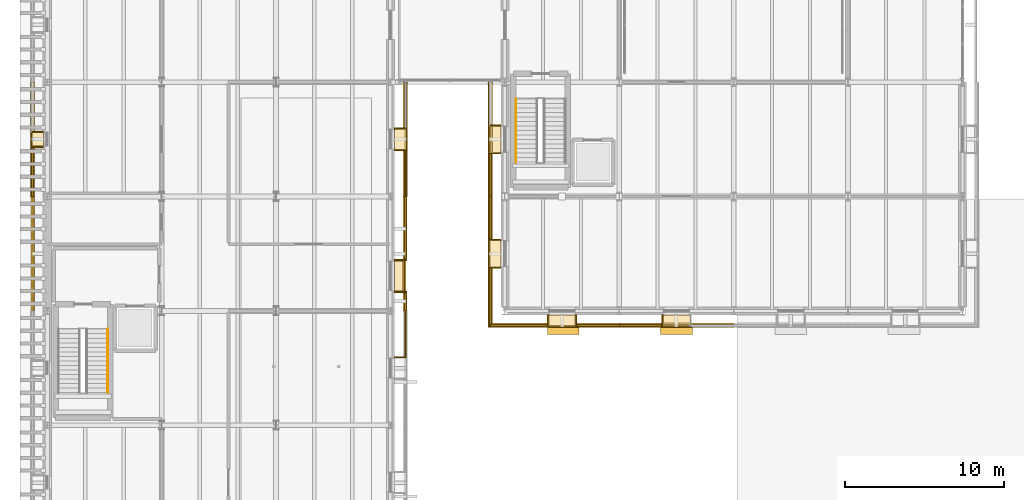
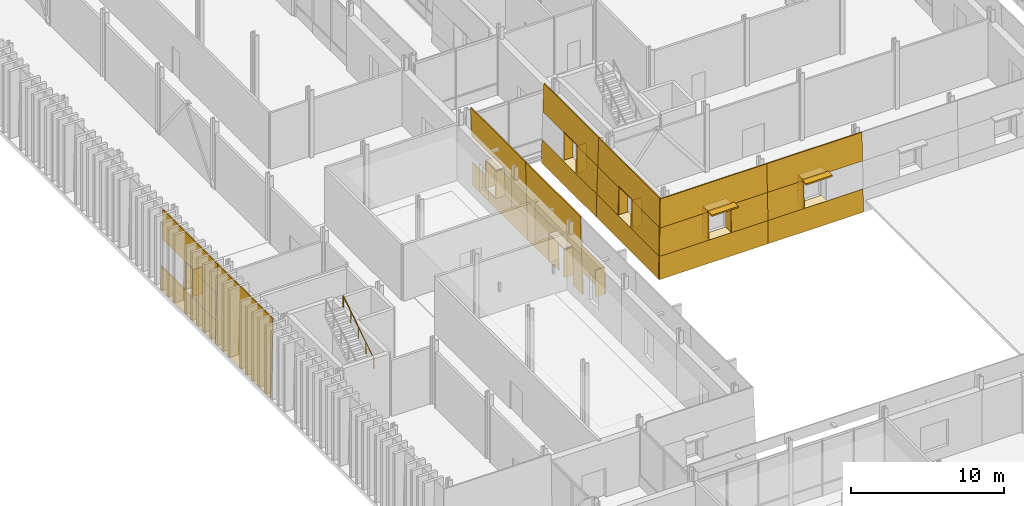
# One storey, part 102 of 120: 52 coverings, 2 railings, 2 shading devices.
"""IFC4 building model written with IfcOpenShell, lengths in metres."""

import ifcopenshell
import ifcopenshell.guid

model = None  # the IFC model being written
_history = None  # IfcOwnerHistory: only IFC2X3 demands one
_inside = {}  # id of a spatial element -> (the spatial element, [elements in it])
_under = {}  # id of a project, library or spatial element -> (it, [spatial elements below it])
_declared = {}  # id of a project -> (the project, [libraries it declares])
_typed = {}  # id of a type object -> (the type object, [elements of that type])
_made_of = {}  # id of a material, layer set ... -> (it, [elements and type objects made of it])


def new_model(schema):
    """Start an empty IFC model of exactly this schema.

    Asked for "IFC4X3", IfcOpenShell would pick the latest addendum, in which some entities
    have other attributes; the version numbers below select the first issue.
    IFC2X3 requires an IfcOwnerHistory on every rooted entity: one is made here for all.
    """
    global model, _history
    if schema == "IFC4X3":
        model = ifcopenshell.file(schema_version=(4, 3, 0, 0))
    else:
        model = ifcopenshell.file(schema=schema)
    _inside.clear()
    _under.clear()
    _declared.clear()
    _typed.clear()
    _made_of.clear()
    _history = None
    if model.schema == "IFC2X3":
        org = make("IfcOrganization", Name="unknown")
        user = make(
            "IfcPersonAndOrganization",
            ThePerson=make("IfcPerson", FamilyName="unknown"),
            TheOrganization=org,
        )
        app = make(
            "IfcApplication",
            ApplicationDeveloper=org,
            Version="unknown",
            ApplicationFullName="unknown",
            ApplicationIdentifier="unknown",
        )
        _history = make(
            "IfcOwnerHistory",
            OwningUser=user,
            OwningApplication=app,
            ChangeAction="ADDED",
            CreationDate=0,
        )
    return model


def make(cls, **values):
    """One entity of the class cls with the attributes given. An attribute that is None is left unset."""
    return model.create_entity(
        cls, **{name: value for name, value in values.items() if value is not None}
    )


def rooted(cls, **values):
    """An entity with a GlobalId (a new one), such as an element, a storey or a relation."""
    return make(cls, GlobalId=ifcopenshell.guid.new(), OwnerHistory=_history, **values)


def si_unit(unit_type, name, prefix=None):
    """IfcSIUnit, for example si_unit("LENGTHUNIT", "METRE", prefix="MILLI")."""
    return make("IfcSIUnit", UnitType=unit_type, Prefix=prefix, Name=name)


def assignment(units):
    """IfcUnitAssignment: the units of a project."""
    return None if units is None else make("IfcUnitAssignment", Units=units)


def point(xyz):
    """IfcCartesianPoint."""
    return None if xyz is None else make("IfcCartesianPoint", Coordinates=xyz)


def direction(xyz):
    """IfcDirection."""
    return None if xyz is None else make("IfcDirection", DirectionRatios=xyz)


def frame(location, z_axis=None, x_axis=None):
    """IfcAxis2Placement3D, a coordinate frame: its origin and axes. An axis left out is left unset."""
    return make(
        "IfcAxis2Placement3D",
        Location=point(location),
        Axis=direction(z_axis),
        RefDirection=direction(x_axis),
    )


def frame_2d(location, x_axis=None):
    """IfcAxis2Placement2D, a coordinate frame in the plane: its origin and x axis."""
    return make(
        "IfcAxis2Placement2D", Location=point(location), RefDirection=direction(x_axis)
    )


def origin():
    """The frame at (0, 0, 0) with its axes left unset."""
    return frame((0.0, 0.0, 0.0))


def origin_2d():
    """The frame at (0, 0) in the plane with its x axis left unset."""
    return frame_2d((0.0, 0.0))


def place(relative_to, where):
    """IfcLocalPlacement: puts the frame where relative to a parent placement (None: the world)."""
    return make(
        "IfcLocalPlacement", PlacementRelTo=relative_to, RelativePlacement=where
    )


def context(
    kind, dimensions, precision=None, world=None, true_north=None, identifier=None
):
    """IfcGeometricRepresentationContext, for example the 3D "Model" context."""
    return make(
        "IfcGeometricRepresentationContext",
        ContextIdentifier=identifier,
        ContextType=kind,
        CoordinateSpaceDimension=dimensions,
        Precision=precision,
        WorldCoordinateSystem=world,
        TrueNorth=true_north,
    )


def subcontext(parent, identifier, kind, view, scale=None):
    """IfcGeometricRepresentationSubContext, for example "Body" below "Model"."""
    return make(
        "IfcGeometricRepresentationSubContext",
        ContextIdentifier=identifier,
        ContextType=kind,
        ParentContext=parent,
        TargetScale=scale,
        TargetView=view,
    )


def project(units=None, contexts=None):
    """IfcProject with its units and contexts."""
    return rooted(
        "IfcProject",
        Name="project",
        RepresentationContexts=contexts,
        UnitsInContext=assignment(units),
    )


def spatial(cls, under=None, at=None, **own):
    """A site, building, storey or space (cls), placed at a placement, below another one or the project."""
    s = rooted(cls, ObjectPlacement=at, **own)
    if under is not None:
        _under.setdefault(under.id(), (under, []))[1].append(s)
    return s


def polyline(points):
    """IfcPolyline through the points."""
    return make("IfcPolyline", Points=[point(p) for p in points])


def profile(cls, at=None, kind="AREA", **sizes):
    """A parametric profile (cls). Its sizes go by their IFC names, for example OverallWidth=200.0."""
    return make(cls, ProfileType=kind, Position=at, **sizes)


def rectangle(**sizes):
    """IfcRectangleProfileDef."""
    return profile("IfcRectangleProfileDef", **sizes)


def circle(**sizes):
    """IfcCircleProfileDef."""
    return profile("IfcCircleProfileDef", **sizes)


def outline(outer, holes=None, kind="AREA"):
    """IfcArbitraryClosedProfileDef: a profile drawn as a closed curve; with holes, ...WithVoids."""
    if holes is None:
        return make("IfcArbitraryClosedProfileDef", ProfileType=kind, OuterCurve=outer)
    return make(
        "IfcArbitraryProfileDefWithVoids",
        ProfileType=kind,
        OuterCurve=outer,
        InnerCurves=holes,
    )


def extrude(swept, where, along, depth):
    """IfcExtrudedAreaSolid: the profile swept, set in the frame where, extruded along a direction by depth."""
    return make(
        "IfcExtrudedAreaSolid",
        SweptArea=swept,
        Position=where,
        ExtrudedDirection=direction(along),
        Depth=depth,
    )


def shape(context_of_items, identifier, shape_type, items):
    """IfcShapeRepresentation: the items that make up one representation, for example the "Body"."""
    return make(
        "IfcShapeRepresentation",
        ContextOfItems=context_of_items,
        RepresentationIdentifier=identifier,
        RepresentationType=shape_type,
        Items=items,
    )


def material(Name=None, Category=None):
    """IfcMaterial."""
    return make("IfcMaterial", Name=Name, Category=Category)


def layer(
    of_material, thickness, ventilated=None, Name=None, Category=None, Priority=None
):
    """IfcMaterialLayer: one layer of a wall or slab, of a material (None: an air gap)."""
    return make(
        "IfcMaterialLayer",
        Material=of_material,
        LayerThickness=thickness,
        IsVentilated=ventilated,
        Name=Name,
        Category=Category,
        Priority=Priority,
    )


def layer_set(layers, Name=None):
    """IfcMaterialLayerSet."""
    return make("IfcMaterialLayerSet", MaterialLayers=layers, LayerSetName=Name)


def made_of(thing, what):
    """Note that an element or type object is made of a material, layer set ...; save() writes the relation."""
    if what is not None:
        _made_of.setdefault(what.id(), (what, []))[1].append(thing)
    return thing


def type_object(cls, material=None, **own):
    """A type object (cls), such as IfcWallType, which elements share."""
    return made_of(rooted(cls, **own), material)


def element(
    cls,
    number,
    at=None,
    inside=None,
    cuts=None,
    type_object=None,
    material=None,
    context=None,
    identifier="Body",
    shape_type=None,
    held_by="IfcProductDefinitionShape",
    body=None,
    shapes=None,
    **own,
):
    """One element of the class cls, such as IfcWall. Its Tag is "e" and its number.

    at: its placement. inside: the storey or other place that contains it. cuts: it is an
    opening in that element (IfcRelVoidsElement). A single representation is given by context,
    identifier, shape_type and body (its items); several are given by shapes. held_by: the class
    of the entity that holds the representations. save() writes the other relations.
    """
    e = rooted(cls, Tag="e%d" % number, ObjectPlacement=at, **own)
    if body is not None:
        shapes = [shape(context, identifier, shape_type, body)]
    if shapes is not None:
        e.Representation = make(held_by, Representations=shapes)
    if inside is not None:
        _inside.setdefault(inside.id(), (inside, []))[1].append(e)
    if cuts is not None:
        rooted(
            "IfcRelVoidsElement", RelatingBuildingElement=cuts, RelatedOpeningElement=e
        )
    if type_object is not None:
        _typed.setdefault(type_object.id(), (type_object, []))[1].append(e)
    return made_of(e, material)


def aggregate(whole, parts):
    """IfcRelAggregates: a whole, such as a stair, and the parts it consists of."""
    return rooted("IfcRelAggregates", RelatingObject=whole, RelatedObjects=parts)


def save(model, path):
    """Write the relations noted so far, then the file.

    IfcRelAggregates (storeys below a building ...), IfcRelContainedInSpatialStructure (elements
    in a storey), IfcRelDefinesByType, IfcRelAssociatesMaterial and IfcRelDeclares: one each for
    every whole, place, type object, material and project.
    """
    for whole, parts in _under.values():
        aggregate(whole, parts)
    for where, things in _inside.values():
        rooted(
            "IfcRelContainedInSpatialStructure",
            RelatedElements=things,
            RelatingStructure=where,
        )
    for kind, things in _typed.values():
        rooted("IfcRelDefinesByType", RelatedObjects=things, RelatingType=kind)
    for what, things in _made_of.values():
        rooted("IfcRelAssociatesMaterial", RelatedObjects=things, RelatingMaterial=what)
    for by, libraries in _declared.values():
        rooted("IfcRelDeclares", RelatingContext=by, RelatedDefinitions=libraries)
    model.write(path)


model = new_model("IFC4")

# Units and contexts
model_context = context("Model", 3, precision=1e-05, world=origin(), true_north=direction((0.0, 1.0)))
body_context = subcontext(model_context, "Body", "Model", "MODEL_VIEW")
ifc_project = project(units=[si_unit("LENGTHUNIT", "METRE"), si_unit("AREAUNIT", "SQUARE_METRE"), si_unit("VOLUMEUNIT", "CUBIC_METRE"), si_unit("PLANEANGLEUNIT", "RADIAN"), si_unit("MASSUNIT", "GRAM", prefix="KILO")], contexts=[model_context])

# Site, building, storey
site_placement = place(None, origin())
site = spatial("IfcSite", under=ifc_project, at=site_placement, CompositionType="ELEMENT")
building_placement = place(site_placement, origin())
building = spatial("IfcBuilding", under=site, at=building_placement, Name="Narikvali Park Central Library", CompositionType="ELEMENT")
storey_placement = place(building_placement, origin())
storey = spatial("IfcBuildingStorey", under=building, at=storey_placement, Name="L00", CompositionType="ELEMENT", Elevation=0.0)

# Coverings
ifc_material_1 = material(Name="White Honed Limestone Cladding", Category="masonry")
ifc_layer_1 = layer(ifc_material_1, 0.0849609375, Name="White Honed Limestone Cladding")
ifc_layer_set_1 = layer_set([ifc_layer_1], Name="White Honed Limestone Cladding")
covering_type_1 = type_object("IfcCoveringType", Name="Battered White Limestone Facade Cladding Panel", PredefinedType="CLADDING", material=ifc_layer_set_1)
covering_1_placement = place(storey_placement, frame((27.760009765625, 49.360107421875, -0.8798828125), z_axis=(0.0, -0.999847289173, 0.017475649751), x_axis=(1.0, 0.0, 0.0)))
element("IfcCovering", 1, at=covering_1_placement, inside=storey, type_object=covering_type_1, Name="V4 L00 S Battered Limestone Spandrel B01", PredefinedType="CLADDING", context=body_context, shape_type="SweptSolid", body=[
    extrude(outline(polyline([(0.0, 0.0), (8.239990234375, 0.0), (8.239990234375, 1.8301134625161029), (0.031982421875, 1.8301134625161029), (0.0, 0.0)])), origin(), (0.0, 0.0, -1.0), 0.0849609375),
])
covering_2_placement = place(storey_placement, frame((27.8662109375, 49.466064453125, 3.14990234375), z_axis=(0.0, -0.999431101062, 0.033726461852), x_axis=(1.0, 0.0, 0.0)))
element("IfcCovering", 2, at=covering_2_placement, inside=storey, type_object=covering_type_1, Name="V4 L00 S Battered Limestone Lintel B01", PredefinedType="CLADDING", context=body_context, shape_type="SweptSolid", body=[
    extrude(outline(polyline([(0.0, 0.0), (8.1337890625, 0.0), (8.1337890625, 2.2512807512274695), (0.07568359375, 2.2512807512274695), (0.0, 0.0)])), origin(), (0.0, 0.0, -1.0), 0.0849609375),
])
covering_3_placement = place(storey_placement, frame((27.7919921875, 49.39208984375, 0.949951171875), z_axis=(0.0, -0.999435139525, 0.033606574995), x_axis=(1.0, 0.0, 0.0)))
element("IfcCovering", 3, at=covering_3_placement, inside=storey, type_object=covering_type_1, Name="V4 L00 S Battered Limestone Jamb Pier L B01", PredefinedType="CLADDING", context=body_context, shape_type="SweptSolid", body=[
    extrude(outline(polyline([(0.0, 0.0), (3.76806640625, 0.0), (3.76806640625, 2.201194539668488), (0.07421875, 2.201194539668488), (0.0, 0.0)])), origin(), (0.0, 0.0, -1.0), 0.0849609375),
])
covering_4_placement = place(storey_placement, frame((33.239990234375, 49.39208984375, 0.949951171875), z_axis=(0.0, -0.999435139525, 0.033606574995), x_axis=(1.0, 0.0, 0.0)))
element("IfcCovering", 4, at=covering_4_placement, inside=storey, type_object=covering_type_1, Name="V4 L00 S Battered Limestone Jamb Pier R B01", PredefinedType="CLADDING", context=body_context, shape_type="SweptSolid", body=[
    extrude(outline(polyline([(0.0, 0.0), (2.760009765625, 0.0), (2.760009765625, 2.201194539668489), (0.0, 2.201194539668489), (0.0, 0.0)])), origin(), (0.0, 0.0, -1.0), 0.0849609375),
])
covering_5_placement = place(storey_placement, frame((36.0, 49.360107421875, -0.8798828125), z_axis=(0.0, -0.999847289173, 0.017475649751), x_axis=(1.0, 0.0, 0.0)))
element("IfcCovering", 5, at=covering_5_placement, inside=storey, type_object=covering_type_1, Name="V4 L00 S Battered Limestone Spandrel B02", PredefinedType="CLADDING", context=body_context, shape_type="SweptSolid", body=[
    extrude(outline(polyline([(0.0, 0.0), (7.199951171875, 0.0), (7.199951171875, 1.8301134625161029), (0.0, 1.8301134625161029), (0.0, 0.0)])), origin(), (0.0, 0.0, -1.0), 0.0849609375),
])
covering_6_placement = place(storey_placement, frame((36.0, 49.466064453125, 3.14990234375), z_axis=(0.0, -0.999431101062, 0.033726461852), x_axis=(1.0, 0.0, 0.0)))
element("IfcCovering", 6, at=covering_6_placement, inside=storey, type_object=covering_type_1, Name="V4 L00 S Battered Limestone Lintel B02", PredefinedType="CLADDING", context=body_context, shape_type="SweptSolid", body=[
    extrude(outline(polyline([(0.0, 0.0), (7.199951171875, 0.0), (7.199951171875, 2.2512807512274695), (0.0, 2.2512807512274695), (0.0, 0.0)])), origin(), (0.0, 0.0, -1.0), 0.0849609375),
])
covering_7_placement = place(storey_placement, frame((36.0, 49.39208984375, 0.949951171875), z_axis=(0.0, -0.999435139525, 0.033606574995), x_axis=(1.0, 0.0, 0.0)))
element("IfcCovering", 7, at=covering_7_placement, inside=storey, type_object=covering_type_1, Name="V4 L00 S Battered Limestone Jamb Pier L B02", PredefinedType="CLADDING", context=body_context, shape_type="SweptSolid", body=[
    extrude(outline(polyline([(0.0, 0.0), (2.760009765625, 0.0), (2.760009765625, 2.201194539668489), (0.0, 2.201194539668489), (0.0, 0.0)])), origin(), (0.0, 0.0, -1.0), 0.0849609375),
])
covering_8_placement = place(storey_placement, frame((27.760009765625, 64.800048828125, -0.8798828125), z_axis=(-0.999847289173, 0.0, 0.017475649751), x_axis=(0.0, -1.0, 0.0)))
element("IfcCovering", 8, at=covering_8_placement, inside=storey, type_object=covering_type_1, Name="V4 L00 W Battered Limestone Spandrel B08", PredefinedType="CLADDING", context=body_context, shape_type="SweptSolid", body=[
    extrude(outline(polyline([(0.0, 0.0), (7.199951171875, 0.0), (7.199951171875, 1.8301134625161029), (0.0, 1.8301134625161029), (0.0, 0.0)])), origin(), (0.0, 0.0, -1.0), 0.0849609375),
])
covering_9_placement = place(storey_placement, frame((27.8662109375, 64.800048828125, 3.14990234375), z_axis=(-0.999434750598, 0.0, 0.033618139397), x_axis=(0.0, -1.0, 0.0)))
element("IfcCovering", 9, at=covering_9_placement, inside=storey, type_object=covering_type_1, Name="V4 L00 W Battered Limestone Lintel B08", PredefinedType="CLADDING", context=body_context, shape_type="SweptSolid", body=[
    extrude(outline(polyline([(0.0, 0.0), (7.199951171875, 0.0), (7.199951171875, 2.251272530450926), (0.0, 2.251272530450926), (0.0, 0.0)])), origin(), (0.0, 0.0, -1.0), 0.0849609375),
])
covering_10_placement = place(storey_placement, frame((27.7919921875, 60.360107421875, 0.949951171875), z_axis=(-0.999431408105, 0.0, 0.033717361898), x_axis=(0.0, -1.0, 0.0)))
element("IfcCovering", 10, at=covering_10_placement, inside=storey, type_object=covering_type_1, Name="V4 L00 W Battered Limestone Jamb Pier R B08", PredefinedType="CLADDING", context=body_context, shape_type="SweptSolid", body=[
    extrude(outline(polyline([(0.0, 0.0), (2.760009765625, 0.0), (2.760009765625, 2.2012027579225295), (0.0, 2.2012027579225295), (0.0, 0.0)])), origin(), (0.0, 0.0, -1.0), 0.0849609375),
])
covering_11_placement = place(storey_placement, frame((27.760009765625, 57.60009765625, -0.8798828125), z_axis=(-0.999847289173, 0.0, 0.017475649751), x_axis=(0.0, -1.0, 0.0)))
element("IfcCovering", 11, at=covering_11_placement, inside=storey, type_object=covering_type_1, Name="V4 L00 W Battered Limestone Spandrel B09", PredefinedType="CLADDING", context=body_context, shape_type="SweptSolid", body=[
    extrude(outline(polyline([(0.0, 0.0), (8.155029296875, 0.0), (8.123046875, 1.8301134625161026), (0.0, 1.8301134625161026), (0.0, 0.0)])), origin(), (0.0, 0.0, -1.0), 0.0849609375),
])
covering_12_placement = place(storey_placement, frame((27.8662109375, 57.60009765625, 3.14990234375), z_axis=(-0.999434750598, 0.0, 0.033618139397), x_axis=(0.0, -1.0, 0.0)))
element("IfcCovering", 12, at=covering_12_placement, inside=storey, type_object=covering_type_1, Name="V4 L00 W Battered Limestone Lintel B09", PredefinedType="CLADDING", context=body_context, shape_type="SweptSolid", body=[
    extrude(outline(polyline([(0.0, 0.0), (8.049072265625, 0.0), (7.97314453125, 2.251272530450926), (0.0, 2.251272530450926), (0.0, 0.0)])), origin(), (0.0, 0.0, -1.0), 0.0849609375),
])
covering_13_placement = place(storey_placement, frame((27.7919921875, 57.60009765625, 0.949951171875), z_axis=(-0.999431408105, 0.0, 0.033717361898), x_axis=(0.0, -1.0, 0.0)))
element("IfcCovering", 13, at=covering_13_placement, inside=storey, type_object=covering_type_1, Name="V4 L00 W Battered Limestone Jamb Pier L B09", PredefinedType="CLADDING", context=body_context, shape_type="SweptSolid", body=[
    extrude(outline(polyline([(0.0, 0.0), (2.760009765625, 0.0), (2.760009765625, 2.2012027579225295), (0.0, 2.2012027579225295), (0.0, 0.0)])), origin(), (0.0, 0.0, -1.0), 0.0849609375),
])
covering_14_placement = place(storey_placement, frame((27.7919921875, 53.159912109375, 0.949951171875), z_axis=(-0.999431408105, 0.0, 0.033717361898), x_axis=(0.0, -1.0, 0.0)))
element("IfcCovering", 14, at=covering_14_placement, inside=storey, type_object=covering_type_1, Name="V4 L00 W Battered Limestone Jamb Pier R B09", PredefinedType="CLADDING", context=body_context, shape_type="SweptSolid", body=[
    extrude(outline(polyline([(0.0, 0.0), (3.682861328125, 0.0), (3.60888671875, 2.201202757922529), (0.0, 2.201202757922529), (0.0, 0.0)])), origin(), (0.0, 0.0, -1.0), 0.0849609375),
])
covering_15_placement = place(storey_placement, frame((22.613037109375, 47.43994140625, 0.949951171875), z_axis=(0.99959734633, 0.0, 0.028375080797), x_axis=(0.0, 1.0, 0.0)))
element("IfcCovering", 15, at=covering_15_placement, inside=storey, type_object=covering_type_1, Name="V5 L00 E Battered Limestone Jamb Pier R B03", PredefinedType="CLADDING", context=body_context, shape_type="SweptSolid", body=[
    extrude(outline(polyline([(0.0, 0.0), (2.9599609375, 0.0), (2.9599609375, 2.1510125974918495), (0.0, 2.1510125974918495), (0.0, 0.0)])), origin(), (0.0, 0.0, -1.0), 0.0849609375),
])
covering_16_placement = place(storey_placement, frame((22.639892578125, 50.39990234375, -0.8798828125), z_axis=(0.999793086822, 0.0, 0.020341670129), x_axis=(0.0, 1.0, 0.0)))
element("IfcCovering", 16, at=covering_16_placement, inside=storey, type_object=covering_type_1, Name="V5 L00 E Battered Portal Pier L B04", PredefinedType="CLADDING", context=body_context, shape_type="SweptSolid", body=[
    extrude(outline(polyline([(0.0, 0.0), (1.239990234375, 0.0), (1.239990234375, 3.1205187233221197), (0.0, 3.1205187233221197), (0.0, 0.0)])), origin(), (0.0, 0.0, -1.0), 0.0849609375),
])
covering_17_placement = place(storey_placement, frame((22.639892578125, 53.56005859375, -0.8798828125), z_axis=(0.999793086822, 0.0, 0.020341670129), x_axis=(0.0, 1.0, 0.0)))
element("IfcCovering", 17, at=covering_17_placement, inside=storey, type_object=covering_type_1, Name="V5 L00 E Battered Portal Pier R B04", PredefinedType="CLADDING", context=body_context, shape_type="SweptSolid", body=[
    extrude(outline(polyline([(0.0, 0.0), (4.0400390625, 0.0), (4.0400390625, 3.1205187233221197), (0.0, 3.1205187233221197), (0.0, 0.0)])), origin(), (0.0, 0.0, -1.0), 0.0849609375),
])
covering_18_placement = place(storey_placement, frame((22.576416015625, 50.39990234375, 2.239990234375), z_axis=(0.999598236532, 0.0, 0.028343703377), x_axis=(0.0, 1.0, 0.0)))
element("IfcCovering", 18, at=covering_18_placement, inside=storey, type_object=covering_type_1, Name="V5 L00 E Battered Portal Header B04", PredefinedType="CLADDING", context=body_context, shape_type="SweptSolid", body=[
    extrude(outline(polyline([(0.0, 0.0), (7.2001953125, 0.0), (7.2001953125, 3.1611821568797516), (0.0, 3.1611821568797516), (0.0, 0.0)])), origin(), (0.0, 0.0, -1.0), 0.0849609375),
])
covering_19_placement = place(storey_placement, frame((22.639892578125, 57.60009765625, -0.8798828125), z_axis=(0.999892318289, 0.0, 0.014674870582), x_axis=(0.0, 1.0, 0.0)))
element("IfcCovering", 19, at=covering_19_placement, inside=storey, type_object=covering_type_1, Name="V5 L00 E Battered Limestone Spandrel B05", PredefinedType="CLADDING", context=body_context, shape_type="SweptSolid", body=[
    extrude(outline(polyline([(0.0, 0.0), (7.199951171875, 0.0), (7.199951171875, 1.830031045249088), (0.0, 1.830031045249088), (0.0, 0.0)])), origin(), (0.0, 0.0, -1.0), 0.0849609375),
])
covering_20_placement = place(storey_placement, frame((22.552001953125, 57.60009765625, 3.10009765625), z_axis=(0.999598552146, 0.0, 0.028332570427), x_axis=(0.0, 1.0, 0.0)))
element("IfcCovering", 20, at=covering_20_placement, inside=storey, type_object=covering_type_1, Name="V5 L00 E Battered Limestone Lintel B05", PredefinedType="CLADDING", context=body_context, shape_type="SweptSolid", body=[
    extrude(outline(polyline([(0.0, 0.0), (7.199951171875, 0.0), (7.199951171875, 2.3007283099419555), (0.0, 2.3007283099419555), (0.0, 0.0)])), origin(), (0.0, 0.0, -1.0), 0.0849609375),
])
covering_21_placement = place(storey_placement, frame((22.613037109375, 57.60009765625, 0.949951171875), z_axis=(0.99959734633, 0.0, 0.028375080797), x_axis=(0.0, 1.0, 0.0)))
element("IfcCovering", 21, at=covering_21_placement, inside=storey, type_object=covering_type_1, Name="V5 L00 E Battered Limestone Jamb Pier L B05", PredefinedType="CLADDING", context=body_context, shape_type="SweptSolid", body=[
    extrude(outline(polyline([(0.0, 0.0), (2.9599609375, 0.0), (2.9599609375, 2.1510125974918495), (0.0, 2.1510125974918495), (0.0, 0.0)])), origin(), (0.0, 0.0, -1.0), 0.0849609375),
])
covering_22_placement = place(storey_placement, frame((-1.0400390625, 64.800048828125, -0.8798828125), z_axis=(-0.999890351864, 0.0, 0.014808249374), x_axis=(0.0, -1.0, 0.0)))
element("IfcCovering", 22, at=covering_22_placement, inside=storey, type_object=covering_type_1, Name="V5 L00 W Battered Limestone Spandrel B07", PredefinedType="CLADDING", context=body_context, shape_type="SweptSolid", body=[
    extrude(outline(polyline([(0.0, 0.0), (7.199951171875, 0.0), (7.199951171875, 1.8300346442627704), (0.0, 1.8300346442627704), (0.0, 0.0)])), origin(), (0.0, 0.0, -1.0), 0.0849609375),
])
covering_23_placement = place(storey_placement, frame((-0.9521484375, 64.800048828125, 3.10009765625), z_axis=(-0.999595541243, 0.0, 0.028438599263), x_axis=(0.0, -1.0, 0.0)))
element("IfcCovering", 23, at=covering_23_placement, inside=storey, type_object=covering_type_1, Name="V5 L00 W Battered Limestone Lintel B07", PredefinedType="CLADDING", context=body_context, shape_type="SweptSolid", body=[
    extrude(outline(polyline([(0.0, 0.0), (7.199951171875, 0.0), (7.199951171875, 2.3007352400164), (0.0, 2.3007352400164), (0.0, 0.0)])), origin(), (0.0, 0.0, -1.0), 0.0849609375),
])
covering_24_placement = place(storey_placement, frame((-1.012939453125, 60.760009765625, 0.949951171875), z_axis=(-0.999600559191, 0.0, 0.028261671311), x_axis=(0.0, -1.0, 0.0)))
element("IfcCovering", 24, at=covering_24_placement, inside=storey, type_object=covering_type_1, Name="V5 L00 W Battered Limestone Jamb Pier R B07", PredefinedType="CLADDING", context=body_context, shape_type="SweptSolid", body=[
    extrude(outline(polyline([(0.0, 0.0), (3.159912109375, 0.0), (3.159912109375, 2.1510056838257987), (0.0, 2.1510056838257987), (0.0, 0.0)])), origin(), (0.0, 0.0, -1.0), 0.0849609375),
])
covering_25_placement = place(storey_placement, frame((-1.0400390625, 57.60009765625, -0.8798828125), z_axis=(-0.999702089563, 0.0, 0.0244076243), x_axis=(0.0, -1.0, 0.0)))
element("IfcCovering", 25, at=covering_25_placement, inside=storey, type_object=covering_type_1, Name="V5 L00 W Battered Limestone Panel B08", PredefinedType="CLADDING", context=body_context, shape_type="SweptSolid", body=[
    extrude(outline(polyline([(0.0, 0.0), (7.2001953125, 0.0), (7.2001953125, 6.2816565272930145), (0.0, 6.2816565272930145), (0.0, 0.0)])), origin(), (0.0, 0.0, -1.0), 0.0849609375),
])

# Shading devices
ifc_material_2 = material(Name="Anodised Bronze Aluminium", Category="aluminium")
ifc_layer_2 = layer(ifc_material_2, 0.1201171875, Name="Anodised Bronze Aluminium")
ifc_layer_set_2 = layer_set([ifc_layer_2], Name="Anodised Bronze Aluminium")
shading_device_type = type_object("IfcShadingDeviceType", Name="Bronze Classical Cornice Sun Brise-Soleil 650", PredefinedType="SHUTTER", material=ifc_layer_set_2)
for number, where, z_axis, x_axis, name in (
    (26, (32.47705078125, 49.22607421875, 3.14990234375), (0.0, 0.0, 1.0), (1.0, 0.0, 0.0), "V4 L00 Classical Bronze Brise-Soleil 01"),
    (27, (39.60009765625, 49.22607421875, 3.14990234375), (0.0, 0.0, 1.0), (1.0, 0.0, 0.0), "V4 L00 Classical Bronze Brise-Soleil 02"),
):
    element("IfcShadingDevice", number, at=place(storey_placement, frame(where, z_axis=z_axis, x_axis=x_axis)), inside=storey, type_object=shading_device_type, Name=name, PredefinedType="SHUTTER", context=body_context, shape_type="SweptSolid", body=[
        extrude(rectangle(XDim=2.0, YDim=0.64990234375, at=origin_2d()), origin(), (0.0, 0.0, 1.0), 0.1201171875),
    ])

# Coverings
ifc_layer_3 = layer(ifc_material_1, 0.080078125, Name="White Honed Limestone Cladding")
ifc_layer_set_3 = layer_set([ifc_layer_3], Name="White Honed Limestone Cladding")
covering_type_2 = type_object("IfcCoveringType", Name="Deep Carved White Limestone Window Reveal", PredefinedType="CLADDING", material=ifc_layer_set_3)
covering_26_placement = place(storey_placement, frame((0.0, 0.0, 3.14990234375)))
element("IfcCovering", 28, at=covering_26_placement, inside=storey, type_object=covering_type_2, Name="Deep Stone Reveal Head V4-RVL-L00-S-B01", PredefinedType="CLADDING", context=body_context, shape_type="SweptSolid", body=[
    extrude(outline(polyline([(31.52001953125, 50.155029296875), (33.280029296875, 50.155029296875), (33.280029296875, 49.466064453125), (31.52001953125, 49.466064453125), (31.52001953125, 50.155029296875)])), origin(), (0.0, 0.0, 1.0), 0.080078125),
])
covering_27_placement = place(storey_placement, frame((0.0, 0.0, 0.8701171875)))
element("IfcCovering", 29, at=covering_27_placement, inside=storey, type_object=covering_type_2, Name="Deep Stone Reveal Sill V4-RVL-L00-S-B01", PredefinedType="CLADDING", context=body_context, shape_type="SweptSolid", body=[
    extrude(outline(polyline([(31.52001953125, 50.155029296875), (33.280029296875, 50.155029296875), (33.280029296875, 49.39208984375), (31.52001953125, 49.39208984375), (31.52001953125, 50.155029296875)])), origin(), (0.0, 0.0, 1.0), 0.079833984375),
])
covering_28_placement = place(storey_placement, frame((0.0, 0.0, 0.949951171875)))
element("IfcCovering", 30, at=covering_28_placement, inside=storey, type_object=covering_type_2, Name="Deep Stone Reveal Jamb L V4-RVL-L00-S-B01", PredefinedType="CLADDING", context=body_context, shape_type="SweptSolid", body=[
    extrude(outline(polyline([(31.47998046875, 50.155029296875), (31.56005859375, 50.155029296875), (31.56005859375, 49.466064453125), (31.47998046875, 49.466064453125), (31.47998046875, 50.155029296875)])), origin(), (0.0, 0.0, 1.0), 2.199951171875),
])
covering_29_placement = place(storey_placement, frame((0.0, 0.0, 0.949951171875)))
element("IfcCovering", 31, at=covering_29_placement, inside=storey, type_object=covering_type_2, Name="Deep Stone Reveal Jamb R V4-RVL-L00-S-B01", PredefinedType="CLADDING", context=body_context, shape_type="SweptSolid", body=[
    extrude(outline(polyline([(33.239990234375, 50.155029296875), (33.320068359375, 50.155029296875), (33.320068359375, 49.466064453125), (33.239990234375, 49.466064453125), (33.239990234375, 50.155029296875)])), origin(), (0.0, 0.0, 1.0), 2.199951171875),
])
covering_30_placement = place(storey_placement, frame((0.0, 0.0, 3.14990234375)))
element("IfcCovering", 32, at=covering_30_placement, inside=storey, type_object=covering_type_2, Name="Deep Stone Reveal Head V4-RVL-L00-S-B02", PredefinedType="CLADDING", context=body_context, shape_type="SweptSolid", body=[
    extrude(outline(polyline([(38.719970703125, 50.155029296875), (40.47998046875, 50.155029296875), (40.47998046875, 49.466064453125), (38.719970703125, 49.466064453125), (38.719970703125, 50.155029296875)])), origin(), (0.0, 0.0, 1.0), 0.080078125),
])
covering_31_placement = place(storey_placement, frame((0.0, 0.0, 0.8701171875)))
element("IfcCovering", 33, at=covering_31_placement, inside=storey, type_object=covering_type_2, Name="Deep Stone Reveal Sill V4-RVL-L00-S-B02", PredefinedType="CLADDING", context=body_context, shape_type="SweptSolid", body=[
    extrude(outline(polyline([(38.719970703125, 50.155029296875), (40.47998046875, 50.155029296875), (40.47998046875, 49.39208984375), (38.719970703125, 49.39208984375), (38.719970703125, 50.155029296875)])), origin(), (0.0, 0.0, 1.0), 0.079833984375),
])
covering_32_placement = place(storey_placement, frame((0.0, 0.0, 0.949951171875)))
element("IfcCovering", 34, at=covering_32_placement, inside=storey, type_object=covering_type_2, Name="Deep Stone Reveal Jamb L V4-RVL-L00-S-B02", PredefinedType="CLADDING", context=body_context, shape_type="SweptSolid", body=[
    extrude(outline(polyline([(38.679931640625, 50.155029296875), (38.760009765625, 50.155029296875), (38.760009765625, 49.466064453125), (38.679931640625, 49.466064453125), (38.679931640625, 50.155029296875)])), origin(), (0.0, 0.0, 1.0), 2.199951171875),
])
covering_33_placement = place(storey_placement, frame((0.0, 0.0, 3.14990234375)))
element("IfcCovering", 35, at=covering_33_placement, inside=storey, type_object=covering_type_2, Name="Deep Stone Reveal Head V4-RVL-L00-W-B08", PredefinedType="CLADDING", context=body_context, shape_type="SweptSolid", body=[
    extrude(outline(polyline([(28.554931640625, 62.080078125), (28.554931640625, 60.320068359375), (27.8662109375, 60.320068359375), (27.8662109375, 62.080078125), (28.554931640625, 62.080078125)])), origin(), (0.0, 0.0, 1.0), 0.080078125),
])
covering_34_placement = place(storey_placement, frame((0.0, 0.0, 0.8701171875)))
element("IfcCovering", 36, at=covering_34_placement, inside=storey, type_object=covering_type_2, Name="Deep Stone Reveal Sill V4-RVL-L00-W-B08", PredefinedType="CLADDING", context=body_context, shape_type="SweptSolid", body=[
    extrude(outline(polyline([(28.554931640625, 62.080078125), (28.554931640625, 60.320068359375), (27.7919921875, 60.320068359375), (27.7919921875, 62.080078125), (28.554931640625, 62.080078125)])), origin(), (0.0, 0.0, 1.0), 0.079833984375),
])
covering_35_placement = place(storey_placement, frame((0.0, 0.0, 0.949951171875)))
element("IfcCovering", 37, at=covering_35_placement, inside=storey, type_object=covering_type_2, Name="Deep Stone Reveal Jamb L V4-RVL-L00-W-B08", PredefinedType="CLADDING", context=body_context, shape_type="SweptSolid", body=[
    extrude(outline(polyline([(28.554931640625, 62.1201171875), (28.554931640625, 62.0400390625), (27.8662109375, 62.0400390625), (27.8662109375, 62.1201171875), (28.554931640625, 62.1201171875)])), origin(), (0.0, 0.0, 1.0), 2.199951171875),
])
covering_36_placement = place(storey_placement, frame((0.0, 0.0, 0.949951171875)))
element("IfcCovering", 38, at=covering_36_placement, inside=storey, type_object=covering_type_2, Name="Deep Stone Reveal Jamb R V4-RVL-L00-W-B08", PredefinedType="CLADDING", context=body_context, shape_type="SweptSolid", body=[
    extrude(outline(polyline([(28.554931640625, 60.360107421875), (28.554931640625, 60.280029296875), (27.8662109375, 60.280029296875), (27.8662109375, 60.360107421875), (28.554931640625, 60.360107421875)])), origin(), (0.0, 0.0, 1.0), 2.199951171875),
])
covering_37_placement = place(storey_placement, frame((0.0, 0.0, 3.14990234375)))
element("IfcCovering", 39, at=covering_37_placement, inside=storey, type_object=covering_type_2, Name="Deep Stone Reveal Head V4-RVL-L00-W-B09", PredefinedType="CLADDING", context=body_context, shape_type="SweptSolid", body=[
    extrude(outline(polyline([(28.554931640625, 54.8798828125), (28.554931640625, 53.1201171875), (27.8662109375, 53.1201171875), (27.8662109375, 54.8798828125), (28.554931640625, 54.8798828125)])), origin(), (0.0, 0.0, 1.0), 0.080078125),
])
covering_38_placement = place(storey_placement, frame((0.0, 0.0, 0.8701171875)))
element("IfcCovering", 40, at=covering_38_placement, inside=storey, type_object=covering_type_2, Name="Deep Stone Reveal Sill V4-RVL-L00-W-B09", PredefinedType="CLADDING", context=body_context, shape_type="SweptSolid", body=[
    extrude(outline(polyline([(28.554931640625, 54.8798828125), (28.554931640625, 53.1201171875), (27.7919921875, 53.1201171875), (27.7919921875, 54.8798828125), (28.554931640625, 54.8798828125)])), origin(), (0.0, 0.0, 1.0), 0.079833984375),
])
covering_39_placement = place(storey_placement, frame((0.0, 0.0, 0.949951171875)))
element("IfcCovering", 41, at=covering_39_placement, inside=storey, type_object=covering_type_2, Name="Deep Stone Reveal Jamb L V4-RVL-L00-W-B09", PredefinedType="CLADDING", context=body_context, shape_type="SweptSolid", body=[
    extrude(outline(polyline([(28.554931640625, 54.919921875), (28.554931640625, 54.840087890625), (27.8662109375, 54.840087890625), (27.8662109375, 54.919921875), (28.554931640625, 54.919921875)])), origin(), (0.0, 0.0, 1.0), 2.199951171875),
])
covering_40_placement = place(storey_placement, frame((0.0, 0.0, 0.949951171875)))
element("IfcCovering", 42, at=covering_40_placement, inside=storey, type_object=covering_type_2, Name="Deep Stone Reveal Jamb R V4-RVL-L00-W-B09", PredefinedType="CLADDING", context=body_context, shape_type="SweptSolid", body=[
    extrude(outline(polyline([(28.554931640625, 53.159912109375), (28.554931640625, 53.080078125), (27.8662109375, 53.080078125), (27.8662109375, 53.159912109375), (28.554931640625, 53.159912109375)])), origin(), (0.0, 0.0, 1.0), 2.199951171875),
])
covering_41_placement = place(storey_placement, frame((0.0, 0.0, 0.949951171875)))
element("IfcCovering", 43, at=covering_41_placement, inside=storey, type_object=covering_type_2, Name="Deep Stone Reveal Jamb R V5-RVL-L00-E-B03", PredefinedType="CLADDING", context=body_context, shape_type="SweptSolid", body=[
    extrude(outline(polyline([(21.844970703125, 47.43994140625), (21.844970703125, 47.52001953125), (22.552001953125, 47.52001953125), (22.552001953125, 47.43994140625), (21.844970703125, 47.43994140625)])), origin(), (0.0, 0.0, 1.0), 2.150146484375),
])
covering_42_placement = place(storey_placement, frame((0.0, 0.0, 2.239990234375)))
element("IfcCovering", 44, at=covering_42_placement, inside=storey, type_object=covering_type_2, Name="Deep Stone Reveal Head V5-RVL-L00-E-B04", PredefinedType="CLADDING", context=body_context, shape_type="SweptSolid", body=[
    extrude(outline(polyline([(21.844970703125, 51.60009765625), (21.844970703125, 53.60009765625), (22.576416015625, 53.60009765625), (22.576416015625, 51.60009765625), (21.844970703125, 51.60009765625)])), origin(), (0.0, 0.0, 1.0), 0.080078125),
])
covering_43_placement = place(storey_placement, frame((0.0, 0.0, 0.02001953125)))
element("IfcCovering", 45, at=covering_43_placement, inside=storey, type_object=covering_type_2, Name="Deep Stone Reveal Jamb L V5-RVL-L00-E-B04", PredefinedType="CLADDING", context=body_context, shape_type="SweptSolid", body=[
    extrude(outline(polyline([(21.844970703125, 51.56005859375), (21.844970703125, 51.639892578125), (22.576416015625, 51.639892578125), (22.576416015625, 51.56005859375), (21.844970703125, 51.56005859375)])), origin(), (0.0, 0.0, 1.0), 2.219970703125),
])
covering_44_placement = place(storey_placement, frame((0.0, 0.0, 0.02001953125)))
element("IfcCovering", 46, at=covering_44_placement, inside=storey, type_object=covering_type_2, Name="Deep Stone Reveal Jamb R V5-RVL-L00-E-B04", PredefinedType="CLADDING", context=body_context, shape_type="SweptSolid", body=[
    extrude(outline(polyline([(21.844970703125, 53.56005859375), (21.844970703125, 53.639892578125), (22.576416015625, 53.639892578125), (22.576416015625, 53.56005859375), (21.844970703125, 53.56005859375)])), origin(), (0.0, 0.0, 1.0), 2.219970703125),
])
covering_45_placement = place(storey_placement, frame((0.0, 0.0, 3.10009765625)))
element("IfcCovering", 47, at=covering_45_placement, inside=storey, type_object=covering_type_2, Name="Deep Stone Reveal Head V5-RVL-L00-E-B05", PredefinedType="CLADDING", context=body_context, shape_type="SweptSolid", body=[
    extrude(outline(polyline([(21.844970703125, 60.52001953125), (21.844970703125, 61.8798828125), (22.552001953125, 61.8798828125), (22.552001953125, 60.52001953125), (21.844970703125, 60.52001953125)])), origin(), (0.0, 0.0, 1.0), 0.079833984375),
])
covering_46_placement = place(storey_placement, frame((0.0, 0.0, 0.8701171875)))
element("IfcCovering", 48, at=covering_46_placement, inside=storey, type_object=covering_type_2, Name="Deep Stone Reveal Sill V5-RVL-L00-E-B05", PredefinedType="CLADDING", context=body_context, shape_type="SweptSolid", body=[
    extrude(outline(polyline([(21.844970703125, 60.52001953125), (21.844970703125, 61.8798828125), (22.613037109375, 61.8798828125), (22.613037109375, 60.52001953125), (21.844970703125, 60.52001953125)])), origin(), (0.0, 0.0, 1.0), 0.079833984375),
])
covering_47_placement = place(storey_placement, frame((0.0, 0.0, 0.949951171875)))
element("IfcCovering", 49, at=covering_47_placement, inside=storey, type_object=covering_type_2, Name="Deep Stone Reveal Jamb L V5-RVL-L00-E-B05", PredefinedType="CLADDING", context=body_context, shape_type="SweptSolid", body=[
    extrude(outline(polyline([(21.844970703125, 60.47998046875), (21.844970703125, 60.56005859375), (22.552001953125, 60.56005859375), (22.552001953125, 60.47998046875), (21.844970703125, 60.47998046875)])), origin(), (0.0, 0.0, 1.0), 2.150146484375),
])
covering_48_placement = place(storey_placement, frame((0.0, 0.0, 0.949951171875)))
element("IfcCovering", 50, at=covering_48_placement, inside=storey, type_object=covering_type_2, Name="Deep Stone Reveal Jamb R V5-RVL-L00-E-B05", PredefinedType="CLADDING", context=body_context, shape_type="SweptSolid", body=[
    extrude(outline(polyline([(21.844970703125, 61.840087890625), (21.844970703125, 61.919921875), (22.552001953125, 61.919921875), (22.552001953125, 61.840087890625), (21.844970703125, 61.840087890625)])), origin(), (0.0, 0.0, 1.0), 2.150146484375),
])
covering_49_placement = place(storey_placement, frame((0.0, 0.0, 3.10009765625)))
element("IfcCovering", 51, at=covering_49_placement, inside=storey, type_object=covering_type_2, Name="Deep Stone Reveal Head V5-RVL-L00-W-B07", PredefinedType="CLADDING", context=body_context, shape_type="SweptSolid", body=[
    extrude(outline(polyline([(-0.2451171875, 61.679931640625), (-0.2451171875, 60.719970703125), (-0.9521484375, 60.719970703125), (-0.9521484375, 61.679931640625), (-0.2451171875, 61.679931640625)])), origin(), (0.0, 0.0, 1.0), 0.079833984375),
])
covering_50_placement = place(storey_placement, frame((0.0, 0.0, 0.8701171875)))
element("IfcCovering", 52, at=covering_50_placement, inside=storey, type_object=covering_type_2, Name="Deep Stone Reveal Sill V5-RVL-L00-W-B07", PredefinedType="CLADDING", context=body_context, shape_type="SweptSolid", body=[
    extrude(outline(polyline([(-0.2451171875, 61.679931640625), (-0.2451171875, 60.719970703125), (-1.012939453125, 60.719970703125), (-1.012939453125, 61.679931640625), (-0.2451171875, 61.679931640625)])), origin(), (0.0, 0.0, 1.0), 0.079833984375),
])
covering_51_placement = place(storey_placement, frame((0.0, 0.0, 0.949951171875)))
element("IfcCovering", 53, at=covering_51_placement, inside=storey, type_object=covering_type_2, Name="Deep Stone Reveal Jamb L V5-RVL-L00-W-B07", PredefinedType="CLADDING", context=body_context, shape_type="SweptSolid", body=[
    extrude(outline(polyline([(-0.2451171875, 61.719970703125), (-0.2451171875, 61.639892578125), (-0.9521484375, 61.639892578125), (-0.9521484375, 61.719970703125), (-0.2451171875, 61.719970703125)])), origin(), (0.0, 0.0, 1.0), 2.150146484375),
])
covering_52_placement = place(storey_placement, frame((0.0, 0.0, 0.949951171875)))
element("IfcCovering", 54, at=covering_52_placement, inside=storey, type_object=covering_type_2, Name="Deep Stone Reveal Jamb R V5-RVL-L00-W-B07", PredefinedType="CLADDING", context=body_context, shape_type="SweptSolid", body=[
    extrude(outline(polyline([(-0.2451171875, 60.760009765625), (-0.2451171875, 60.679931640625), (-0.9521484375, 60.679931640625), (-0.9521484375, 60.760009765625), (-0.2451171875, 60.760009765625)])), origin(), (0.0, 0.0, 1.0), 2.150146484375),
])

# Railings
ifc_material_3 = material(Name="Brushed Stainless Steel S355", Category="steel")
ifc_layer_4 = layer(ifc_material_3, 0.044921875, Name="Brushed Stainless Steel S355")
ifc_layer_set_4 = layer_set([ifc_layer_4], Name="Brushed Stainless Steel S355")
railing_type = type_object("IfcRailingType", Name="Stair Tubular Steel Handrail 900", PredefinedType="HANDRAIL", material=ifc_layer_set_4)
railing_1_placement = place(storey_placement, frame((29.5, 63.75, 0.179931640625)))
element("IfcRailing", 55, at=railing_1_placement, inside=storey, type_object=railing_type, Name="L00 ST-07 stair handrail 1", PredefinedType="HANDRAIL", context=body_context, shape_type="SweptSolid", body=[
    extrude(circle(Radius=0.02392578125, at=origin_2d()), frame((0.0, 0.0, 0.8759765625), z_axis=(0.0, -0.845486444383, 0.533996884227), x_axis=(1.0, 0.0, 0.0)), (0.0, 0.0, 1.0), 4.71923828125),
    extrude(circle(Radius=0.02099609375, at=origin_2d()), origin(), (0.0, 0.0, 1.0), 0.851806640625),
    extrude(circle(Radius=0.02099609375, at=origin_2d()), frame((0.0, -0.99755859375, 0.6298828125)), (0.0, 0.0, 1.0), 0.851806640625),
    extrude(circle(Radius=0.02099609375, at=origin_2d()), frame((0.0, -1.9951171875, 1.260009765625)), (0.0, 0.0, 1.0), 0.851806640625),
    extrude(circle(Radius=0.02099609375, at=origin_2d()), frame((0.0, -2.992431640625, 1.89013671875)), (0.0, 0.0, 1.0), 0.851806640625),
    extrude(circle(Radius=0.02099609375, at=origin_2d()), frame((0.0, -3.989990234375, 2.52001953125)), (0.0, 0.0, 1.0), 0.851806640625),
])
railing_2_placement = place(storey_placement, frame((3.800048828125, 45.260009765625, 2.8798828125)))
element("IfcRailing", 56, at=railing_2_placement, inside=storey, type_object=railing_type, Name="L00 ST-09 stair handrail 2", PredefinedType="HANDRAIL", context=body_context, shape_type="SweptSolid", body=[
    extrude(circle(Radius=0.02392578125, at=origin_2d()), frame((0.0, 0.0, 0.8759765625), z_axis=(0.0, 0.845486444383, 0.533996884227), x_axis=(-1.0, 0.0, 0.0)), (0.0, 0.0, 1.0), 4.71923828125),
    extrude(circle(Radius=0.02099609375, at=origin_2d()), origin(), (0.0, 0.0, 1.0), 0.851806640625),
    extrude(circle(Radius=0.02099609375, at=origin_2d()), frame((0.0, 0.99755859375, 0.6298828125)), (0.0, 0.0, 1.0), 0.851806640625),
    extrude(circle(Radius=0.02099609375, at=origin_2d()), frame((0.0, 1.9951171875, 1.260009765625)), (0.0, 0.0, 1.0), 0.851806640625),
    extrude(circle(Radius=0.02099609375, at=origin_2d()), frame((0.0, 2.992431640625, 1.89013671875)), (0.0, 0.0, 1.0), 0.851806640625),
    extrude(circle(Radius=0.02099609375, at=origin_2d()), frame((0.0, 3.989990234375, 2.52001953125)), (0.0, 0.0, 1.0), 0.851806640625),
])

save(model, "model.ifc")
